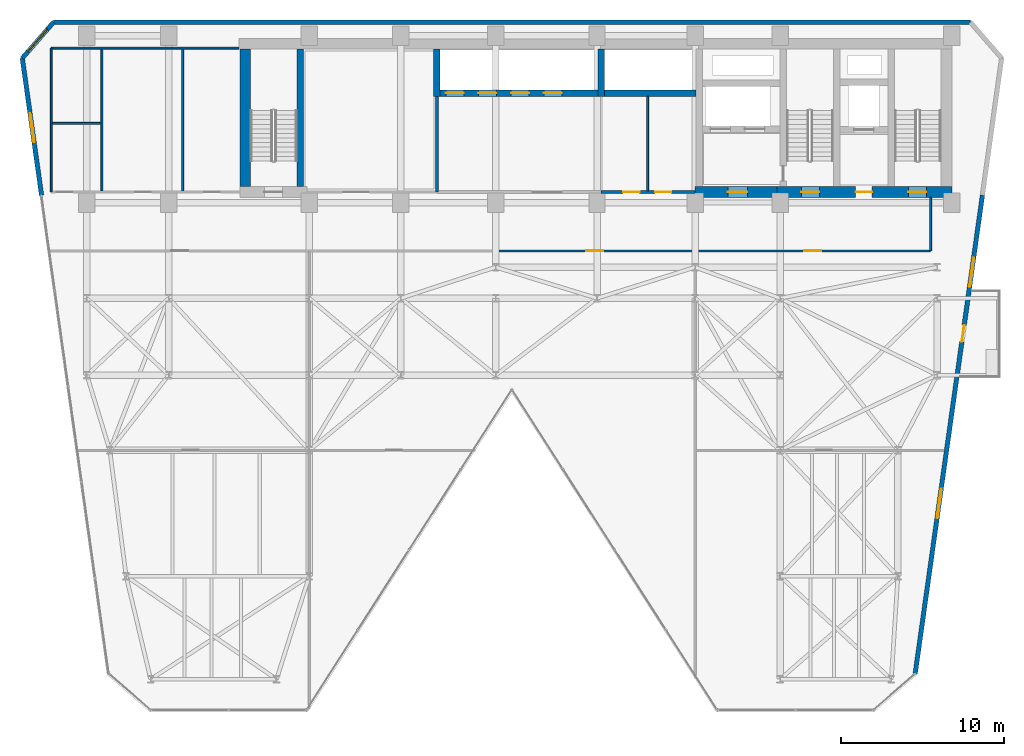
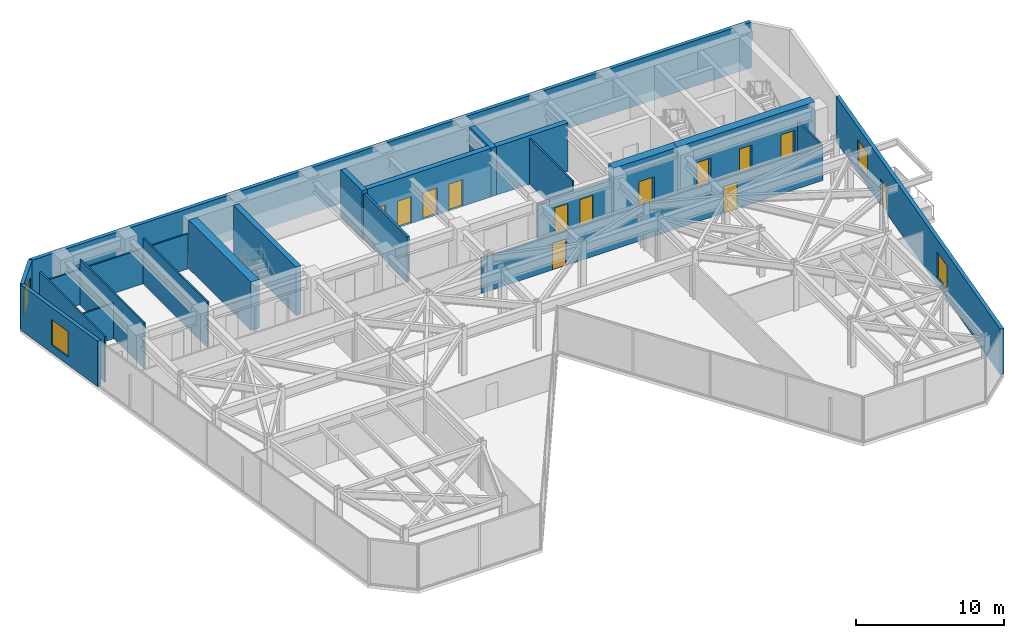
# One storey, part 22 of 26: 22 walls, 13 doors, 4 windows, 17 openings.
"""IFC4 building model written with IfcOpenShell, lengths in metres."""

from ifc_helpers import new_model, si_unit, direction, frame, frame_2d, origin, place, context, subcontext, project, spatial, rectangle, extrude, material, layer, layer_set, type_object, element, fill, save


model = new_model("IFC4")

# Units and contexts
model_context = context("Model", 3, precision=1e-05, world=origin(), true_north=direction((0.0, 1.0)))
body_context = subcontext(model_context, "Body", "Model", "MODEL_VIEW")
ifc_project = project(units=[si_unit("LENGTHUNIT", "METRE"), si_unit("AREAUNIT", "SQUARE_METRE"), si_unit("VOLUMEUNIT", "CUBIC_METRE"), si_unit("PLANEANGLEUNIT", "RADIAN"), si_unit("MASSUNIT", "GRAM", prefix="KILO")], contexts=[model_context])

# Site, building, storey
site_placement = place(None, origin())
site = spatial("IfcSite", under=ifc_project, at=site_placement, CompositionType="ELEMENT")
building_placement = place(site_placement, origin())
building = spatial("IfcBuilding", under=site, at=building_placement, Name="Kravanh Interchange Tower", CompositionType="ELEMENT")
storey_placement = place(building_placement, frame((0.0, 0.0, 144.0)))
storey = spatial("IfcBuildingStorey", under=building, at=storey_placement, Name="L34", CompositionType="ELEMENT", Elevation=144.0)

# Walls
ifc_material_1 = material(Name="Double Acoustic Gypsum Board and Mineral Wool")
ifc_layer_1 = layer(ifc_material_1, 0.1201171875)
ifc_layer_set_1 = layer_set([ifc_layer_1], Name="Acoustic Office Drywall Partition 120mm")
wall_type_1 = type_object("IfcWallType", Name="Acoustic Office Drywall Partition 120mm", PredefinedType="PARTITIONING", material=ifc_layer_set_1)
wall_1_placement = place(storey_placement, frame((47.89990234375, 38.068115234375, 0.0), z_axis=(0.0, 0.0, 1.0), x_axis=(0.0, 1.0, 0.0)))
element("IfcWall", 1, at=wall_1_placement, inside=storey, type_object=wall_type_1, Name="L34 Interior Partition 2", PredefinedType="PARTITIONING", context=body_context, shape_type="SweptSolid", body=[
    extrude(rectangle(XDim=5.77392578125, YDim=0.1201171875, at=frame_2d((2.886962890625, 0.0))), origin(), (0.0, 0.0, 1.0), 3.75),
])
wall_2_placement = place(storey_placement, frame((11.419921875, 38.0, 0.0), z_axis=(0.0, 0.0, 1.0), x_axis=(0.0, 1.0, 0.0)))
element("IfcWall", 2, at=wall_2_placement, inside=storey, type_object=wall_type_1, Name="L34 Restroom West Enclosure 7", PredefinedType="PARTITIONING", context=body_context, shape_type="SweptSolid", body=[
    extrude(rectangle(XDim=8.800048828125, YDim=0.1201171875, at=frame_2d((4.39990234375, 0.0))), origin(), (0.0, 0.0, 1.0), 3.75),
])
wall_3_placement = place(storey_placement, frame((11.419921875, 46.800048828125, 0.0), z_axis=(0.0, 0.0, 1.0), x_axis=(1.0, 0.0, 0.0)))
element("IfcWall", 3, at=wall_3_placement, inside=storey, type_object=wall_type_1, Name="L34 Restroom North Enclosure 8", PredefinedType="PARTITIONING", context=body_context, shape_type="SweptSolid", body=[
    extrude(rectangle(XDim=11.47998046875, YDim=0.1201171875, at=frame_2d((5.739990234375, 0.0))), origin(), (0.0, 0.0, 1.0), 2.89404296875),
])
for number, where, z_axis, x_axis, name in (
    (4, (14.52001953125, 38.068115234375, 0.0), (0.0, 0.0, 1.0), (0.0, 1.0, 0.0), "L34 Interior Partition 9"),
    (5, (19.449951171875, 38.068115234375, 0.0), (0.0, 0.0, 1.0), (0.0, 1.0, 0.0), "L34 Interior Partition 10"),
):
    element("IfcWall", number, at=place(storey_placement, frame(where, z_axis=z_axis, x_axis=x_axis)), inside=storey, type_object=wall_type_1, Name=name, PredefinedType="PARTITIONING", context=body_context, shape_type="SweptSolid", body=[
        extrude(rectangle(XDim=8.663818359375, YDim=0.1201171875, at=frame_2d((4.33203125, 0.0))), origin(), (0.0, 0.0, 1.0), 3.75),
    ])
wall_4_placement = place(storey_placement, frame((11.488037109375, 42.199951171875, 0.0), z_axis=(0.0, 0.0, 1.0), x_axis=(1.0, 0.0, 0.0)))
element("IfcWall", 6, at=wall_4_placement, inside=storey, type_object=wall_type_1, Name="L34 Interior Partition 11", PredefinedType="PARTITIONING", context=body_context, shape_type="SweptSolid", body=[
    extrude(rectangle(XDim=2.9638671875, YDim=0.1201171875, at=frame_2d((1.48193359375, 0.0))), origin(), (0.0, 0.0, 1.0), 2.89404296875),
])

# Wall, openings, doors
wall_5_placement = place(storey_placement, frame((38.60009765625, 34.39990234375, 0.0), z_axis=(0.0, 0.0, 1.0), x_axis=(1.0, 0.0, 0.0)))
wall_5 = element("IfcWall", 7, at=wall_5_placement, inside=storey, type_object=wall_type_1, Name="L34 Interior Partition 13", PredefinedType="PARTITIONING", context=body_context, shape_type="SweptSolid", body=[
    extrude(rectangle(XDim=26.599853515625, YDim=0.1201171875, at=frame_2d((13.2998046875, 0.0))), origin(), (0.0, 0.0, 1.0), 2.89404296875),
])
opening_1_placement = place(wall_5_placement, frame((5.530029296875, 0.0, 0.0)))
opening_1 = element("IfcOpeningElement", 8, at=opening_1_placement, cuts=wall_5, Name="Opening D-105", PredefinedType="OPENING", context=body_context, shape_type="SweptSolid", body=[
    extrude(rectangle(XDim=1.050048828125, YDim=2.199951171875, at=frame_2d((0.52490234375, 1.10009765625))), frame((0.0, 0.070068359375, 0.0), z_axis=(0.0, -1.0, 0.0), x_axis=(1.0, 0.0, 0.0)), (0.0, 0.0, 1.0), 0.14013671875),
])
opening_2_placement = place(wall_5_placement, frame((18.875, 0.0, 0.0)))
opening_2 = element("IfcOpeningElement", 9, at=opening_2_placement, cuts=wall_5, Name="Opening D-105", PredefinedType="OPENING", context=body_context, shape_type="SweptSolid", body=[
    extrude(rectangle(XDim=1.050048828125, YDim=2.199951171875, at=frame_2d((0.52490234375, 1.10009765625))), frame((0.0, 0.070068359375, 0.0), z_axis=(0.0, -1.0, 0.0), x_axis=(1.0, 0.0, 0.0)), (0.0, 0.0, 1.0), 0.14013671875),
])
ifc_material_2 = material(Name="Acoustic Glazed Oak and Aluminium", Category="aluminium")
door_type_1 = type_object("IfcDoorType", Name="Office Workplace Door 1050x2200", OperationType="NOTDEFINED", PredefinedType="DOOR", material=ifc_material_2)
door_1_placement = place(opening_1_placement, origin())
door_1 = element("IfcDoor", 10, at=door_1_placement, inside=storey, type_object=door_type_1, Name="L34 Central Deeds Vault Store 6B Door", OperationType="SINGLE_SWING_LEFT", OverallHeight=2.199951171875, OverallWidth=1.050048828125, PredefinedType="DOOR", context=body_context, shape_type="SweptSolid", body=[
    extrude(rectangle(XDim=1.050048828125, YDim=2.199951171875, at=frame_2d((0.52490234375, 1.10009765625))), frame((0.0, 0.02490234375, 0.0), z_axis=(0.0, -1.0, 0.0), x_axis=(1.0, 0.0, 0.0)), (0.0, 0.0, 1.0), 0.050048828125),
])
fill(opening_1, door_1)
door_2_placement = place(opening_2_placement, origin())
door_2 = element("IfcDoor", 11, at=door_2_placement, inside=storey, type_object=door_type_1, Name="L34 East Balcony Partner Office 6C Door", OperationType="SINGLE_SWING_LEFT", OverallHeight=2.199951171875, OverallWidth=1.050048828125, PredefinedType="DOOR", context=body_context, shape_type="SweptSolid", body=[
    extrude(rectangle(XDim=1.050048828125, YDim=2.199951171875, at=frame_2d((0.52490234375, 1.10009765625))), frame((0.0, 0.02490234375, 0.0), z_axis=(0.0, -1.0, 0.0), x_axis=(1.0, 0.0, 0.0)), (0.0, 0.0, 1.0), 0.050048828125),
])
fill(opening_2, door_2)

# Wall
wall_6_placement = place(storey_placement, frame((65.199951171875, 34.39990234375, 0.0), z_axis=(0.0, 0.0, 1.0), x_axis=(0.0, 1.0, 0.0)))
element("IfcWall", 12, at=wall_6_placement, inside=storey, type_object=wall_type_1, Name="L34 Interior Partition 14", PredefinedType="PARTITIONING", context=body_context, shape_type="SweptSolid", body=[
    extrude(rectangle(XDim=3.26708984375, YDim=0.1201171875, at=frame_2d((1.633544921875, 0.0))), origin(), (0.0, 0.0, 1.0), 2.89404296875),
])

# Wall, openings, doors
ifc_material_3 = material(Name="Concrete C70/85", Category="concrete")
ifc_layer_2 = layer(ifc_material_3, 0.64990234375)
ifc_layer_set_2 = layer_set([ifc_layer_2], Name="Core Shear Wall Concrete C70/85 650mm")
wall_type_2 = type_object("IfcWallType", Name="Core Shear Wall Concrete C70/85 650mm", PredefinedType="SHEAR", material=ifc_layer_set_2)
wall_7_placement = place(storey_placement, frame((55.800048828125, 38.0, 0.0), z_axis=(0.0, 0.0, 1.0), x_axis=(1.0, 0.0, 0.0)))
wall_7 = element("IfcWall", 13, at=wall_7_placement, inside=storey, type_object=wall_type_2, Name="L34 East Core South Shear Wall", PredefinedType="SHEAR", context=body_context, shape_type="SweptSolid", body=[
    extrude(rectangle(XDim=10.699951171875, YDim=0.64990234375, at=frame_2d((5.35009765625, 0.0))), origin(), (0.0, 0.0, 1.0), 4.0),
])
opening_3_placement = place(wall_7_placement, frame((1.5, 0.0, 0.0)))
opening_3 = element("IfcOpeningElement", 14, at=opening_3_placement, cuts=wall_7, Name="Opening D-STAIR-110", PredefinedType="OPENING", context=body_context, shape_type="SweptSolid", body=[
    extrude(rectangle(XDim=1.10009765625, YDim=2.199951171875, at=frame_2d((0.550048828125, 1.10009765625))), frame((0.0, 0.3349609375, 0.0), z_axis=(0.0, -1.0, 0.0), x_axis=(1.0, 0.0, 0.0)), (0.0, 0.0, 1.0), 0.669921875),
])
opening_4_placement = place(wall_7_placement, frame((4.820068359375, 0.0, 0.0)))
opening_4 = element("IfcOpeningElement", 15, at=opening_4_placement, cuts=wall_7, Name="Opening D-HOTEL-100", PredefinedType="OPENING", context=body_context, shape_type="SweptSolid", body=[
    extrude(rectangle(XDim=1.0, YDim=2.14990234375, at=frame_2d((0.5, 1.074951171875))), frame((0.0, 0.3349609375, 0.0), z_axis=(0.0, -1.0, 0.0), x_axis=(1.0, 0.0, 0.0)), (0.0, 0.0, 1.0), 0.669921875),
])
opening_5_placement = place(wall_7_placement, frame((8.050048828125, 0.0, 0.0)))
opening_5 = element("IfcOpeningElement", 16, at=opening_5_placement, cuts=wall_7, Name="Opening D-STAIR-110", PredefinedType="OPENING", context=body_context, shape_type="SweptSolid", body=[
    extrude(rectangle(XDim=1.10009765625, YDim=2.199951171875, at=frame_2d((0.550048828125, 1.10009765625))), frame((0.0, 0.3349609375, 0.0), z_axis=(0.0, -1.0, 0.0), x_axis=(1.0, 0.0, 0.0)), (0.0, 0.0, 1.0), 0.669921875),
])
ifc_material_4 = material(Name="Structural Steel S355", Category="steel")
door_type_2 = type_object("IfcDoorType", Name="Fire-Rated Exit Stair Door 1100x2200", OperationType="NOTDEFINED", PredefinedType="DOOR", material=ifc_material_4)
door_3_placement = place(opening_3_placement, origin())
door_3 = element("IfcDoor", 17, at=door_3_placement, inside=storey, type_object=door_type_2, Name="L34 Exit Stair ST2 Door", OperationType="SINGLE_SWING_RIGHT", OverallHeight=2.199951171875, OverallWidth=1.10009765625, PredefinedType="DOOR", context=body_context, shape_type="SweptSolid", body=[
    extrude(rectangle(XDim=1.10009765625, YDim=2.199951171875, at=frame_2d((0.550048828125, 1.10009765625))), frame((0.0, 0.02490234375, 0.0), z_axis=(0.0, -1.0, 0.0), x_axis=(1.0, 0.0, 0.0)), (0.0, 0.0, 1.0), 0.050048828125),
])
fill(opening_3, door_3)
door_4_placement = place(opening_5_placement, origin())
door_4 = element("IfcDoor", 18, at=door_4_placement, inside=storey, type_object=door_type_2, Name="L34 Exit Stair ST1 Door", OperationType="SINGLE_SWING_RIGHT", OverallHeight=2.199951171875, OverallWidth=1.10009765625, PredefinedType="DOOR", context=body_context, shape_type="SweptSolid", body=[
    extrude(rectangle(XDim=1.10009765625, YDim=2.199951171875, at=frame_2d((0.550048828125, 1.10009765625))), frame((0.0, 0.02490234375, 0.0), z_axis=(0.0, -1.0, 0.0), x_axis=(1.0, 0.0, 0.0)), (0.0, 0.0, 1.0), 0.050048828125),
])
fill(opening_5, door_4)
ifc_material_5 = material(Name="Fire-Rated Solid Timber Leaf", Category="wood")
door_type_3 = type_object("IfcDoorType", Name="Fire-Rated Suite Entrance Door 1000x2150", OperationType="NOTDEFINED", PredefinedType="DOOR", material=ifc_material_5)
door_5_placement = place(opening_4_placement, origin())
door_5 = element("IfcDoor", 19, at=door_5_placement, inside=storey, type_object=door_type_3, Name="L34 Service Lift Lobby Door", OperationType="SINGLE_SWING_RIGHT", OverallHeight=2.14990234375, OverallWidth=1.0, PredefinedType="DOOR", context=body_context, shape_type="SweptSolid", body=[
    extrude(rectangle(XDim=1.0, YDim=2.14990234375, at=frame_2d((0.5, 1.074951171875))), frame((0.0, 0.02490234375, 0.0), z_axis=(0.0, -1.0, 0.0), x_axis=(1.0, 0.0, 0.0)), (0.0, 0.0, 1.0), 0.050048828125),
])
fill(opening_4, door_5)

# Wall, opening, door
wall_8_placement = place(storey_placement, frame((50.800048828125, 38.0, 0.0), z_axis=(0.0, 0.0, 1.0), x_axis=(1.0, 0.0, 0.0)))
wall_8 = element("IfcWall", 20, at=wall_8_placement, inside=storey, type_object=wall_type_2, Name="L34 Firefighting Lobby South Shear Wall", PredefinedType="SHEAR", context=body_context, shape_type="SweptSolid", body=[
    extrude(rectangle(XDim=5.0, YDim=0.64990234375, at=frame_2d((2.5, 0.0))), origin(), (0.0, 0.0, 1.0), 4.0),
])
opening_6_placement = place(wall_8_placement, frame((2.0, 0.0, 0.0)))
opening_6 = element("IfcOpeningElement", 21, at=opening_6_placement, cuts=wall_8, Name="Opening D-FSAE-120", PredefinedType="OPENING", context=body_context, shape_type="SweptSolid", body=[
    extrude(rectangle(XDim=1.199951171875, YDim=2.199951171875, at=frame_2d((0.60009765625, 1.10009765625))), frame((0.0, 0.3349609375, 0.0), z_axis=(0.0, -1.0, 0.0), x_axis=(1.0, 0.0, 0.0)), (0.0, 0.0, 1.0), 0.669921875),
])
ifc_material_6 = material(Name="Structural Steel S355", Category="steel")
door_type_4 = type_object("IfcDoorType", Name="Fire-Rated Refuge and FSAE Door 1200x2200", OperationType="NOTDEFINED", PredefinedType="DOOR", material=ifc_material_6)
door_6_placement = place(opening_6_placement, origin())
door_6 = element("IfcDoor", 22, at=door_6_placement, inside=storey, type_object=door_type_4, Name="L34 Firefighting Lobby Corridor Door", OperationType="SINGLE_SWING_RIGHT", OverallHeight=2.199951171875, OverallWidth=1.199951171875, PredefinedType="DOOR", context=body_context, shape_type="SweptSolid", body=[
    extrude(rectangle(XDim=1.199951171875, YDim=2.199951171875, at=frame_2d((0.60009765625, 1.10009765625))), frame((0.0, 0.02490234375, 0.0), z_axis=(0.0, -1.0, 0.0), x_axis=(1.0, 0.0, 0.0)), (0.0, 0.0, 1.0), 0.050048828125),
])
fill(opening_6, door_6)

# Walls
wall_9_placement = place(storey_placement, frame((23.27490234375, 38.324951171875, 0.0), z_axis=(0.0, 0.0, 1.0), x_axis=(0.0, 1.0, 0.0)))
element("IfcWall", 23, at=wall_9_placement, inside=storey, type_object=wall_type_2, Name="L34 Stair ST3 West Shear Wall", PredefinedType="SHEAR", context=body_context, shape_type="SweptSolid", body=[
    extrude(rectangle(XDim=8.425048828125, YDim=0.64990234375, at=frame_2d((4.21240234375, 0.0))), origin(), (0.0, 0.0, 1.0), 4.0),
])
ifc_material_7 = material(Name="Concrete C80/95", Category="concrete")
ifc_layer_3 = layer(ifc_material_7, 0.39990234375)
ifc_layer_set_3 = layer_set([ifc_layer_3], Name="Core Shear Wall Concrete C80/95 400mm")
wall_type_3 = type_object("IfcWallType", Name="Core Shear Wall Concrete C80/95 400mm", PredefinedType="SHEAR", material=ifc_layer_set_3)
wall_10_placement = place(storey_placement, frame((45.25, 44.050048828125, 0.0), z_axis=(0.0, 0.0, 1.0), x_axis=(1.0, 0.0, 0.0)))
element("IfcWall", 24, at=wall_10_placement, inside=storey, type_object=wall_type_3, Name="L34 High-Rise Lift Shaft South Wall", PredefinedType="SHEAR", context=body_context, shape_type="SweptSolid", body=[
    extrude(rectangle(XDim=5.60009765625, YDim=0.39990234375, at=frame_2d((2.800048828125, 0.0))), origin(), (0.0, 0.0, 1.0), 4.0),
])
wall_11_placement = place(storey_placement, frame((45.050048828125, 43.85009765625, 0.0), z_axis=(0.0, 0.0, 1.0), x_axis=(0.0, 1.0, 0.0)))
element("IfcWall", 25, at=wall_11_placement, inside=storey, type_object=wall_type_3, Name="L34 High-Rise Lift Shaft West Wall", PredefinedType="SHEAR", context=body_context, shape_type="SweptSolid", body=[
    extrude(rectangle(XDim=2.89990234375, YDim=0.39990234375, at=frame_2d((1.449951171875, 0.0))), origin(), (0.0, 0.0, 1.0), 4.0),
])

# Wall, openings, doors
wall_12_placement = place(storey_placement, frame((35.199951171875, 44.050048828125, 0.0), z_axis=(0.0, 0.0, 1.0), x_axis=(1.0, 0.0, 0.0)))
wall_12 = element("IfcWall", 26, at=wall_12_placement, inside=storey, type_object=wall_type_3, Name="L34 Mid-Rise Lift Shaft South Wall", PredefinedType="SHEAR", context=body_context, shape_type="SweptSolid", body=[
    extrude(rectangle(XDim=9.650146484375, YDim=0.39990234375, at=frame_2d((4.8251953125, 0.0))), origin(), (0.0, 0.0, 1.0), 4.0),
])
opening_7_placement = place(wall_12_placement, frame((0.35009765625, 0.0, 0.0)))
opening_7 = element("IfcOpeningElement", 27, at=opening_7_placement, cuts=wall_12, Name="Opening LD01", PredefinedType="OPENING", context=body_context, shape_type="SweptSolid", body=[
    extrude(rectangle(XDim=1.10009765625, YDim=2.199951171875, at=frame_2d((0.550048828125, 1.10009765625))), frame((0.0, 0.2099609375, 0.0), z_axis=(0.0, -1.0, 0.0), x_axis=(1.0, 0.0, 0.0)), (0.0, 0.0, 1.0), 0.419921875),
])
opening_8_placement = place(wall_12_placement, frame((2.35009765625, 0.0, 0.0)))
opening_8 = element("IfcOpeningElement", 28, at=opening_8_placement, cuts=wall_12, Name="Opening LD01", PredefinedType="OPENING", context=body_context, shape_type="SweptSolid", body=[
    extrude(rectangle(XDim=1.10009765625, YDim=2.199951171875, at=frame_2d((0.550048828125, 1.10009765625))), frame((0.0, 0.2099609375, 0.0), z_axis=(0.0, -1.0, 0.0), x_axis=(1.0, 0.0, 0.0)), (0.0, 0.0, 1.0), 0.419921875),
])
opening_9_placement = place(wall_12_placement, frame((4.35009765625, 0.0, 0.0)))
opening_9 = element("IfcOpeningElement", 29, at=opening_9_placement, cuts=wall_12, Name="Opening LD01", PredefinedType="OPENING", context=body_context, shape_type="SweptSolid", body=[
    extrude(rectangle(XDim=1.10009765625, YDim=2.199951171875, at=frame_2d((0.550048828125, 1.10009765625))), frame((0.0, 0.2099609375, 0.0), z_axis=(0.0, -1.0, 0.0), x_axis=(1.0, 0.0, 0.0)), (0.0, 0.0, 1.0), 0.419921875),
])
opening_10_placement = place(wall_12_placement, frame((6.35009765625, 0.0, 0.0)))
opening_10 = element("IfcOpeningElement", 30, at=opening_10_placement, cuts=wall_12, Name="Opening LD01", PredefinedType="OPENING", context=body_context, shape_type="SweptSolid", body=[
    extrude(rectangle(XDim=1.10009765625, YDim=2.199951171875, at=frame_2d((0.550048828125, 1.10009765625))), frame((0.0, 0.2099609375, 0.0), z_axis=(0.0, -1.0, 0.0), x_axis=(1.0, 0.0, 0.0)), (0.0, 0.0, 1.0), 0.419921875),
])
ifc_material_8 = material(Name="Stainless Steel 304", Category="steel")
door_type_5 = type_object("IfcDoorType", Name="Passenger Lift Sliding Landing Door 1100x2200", OperationType="DOUBLE_DOOR_SLIDING", PredefinedType="DOOR", material=ifc_material_8)
door_7_placement = place(opening_7_placement, origin())
door_7 = element("IfcDoor", 31, at=door_7_placement, inside=storey, type_object=door_type_5, Name="L34 Lift LP-M1 Landing Door", OperationType="DOUBLE_DOOR_SLIDING", OverallHeight=2.199951171875, OverallWidth=1.10009765625, PredefinedType="DOOR", context=body_context, shape_type="SweptSolid", body=[
    extrude(rectangle(XDim=1.10009765625, YDim=2.199951171875, at=frame_2d((0.550048828125, 1.10009765625))), frame((0.0, 0.02490234375, 0.0), z_axis=(0.0, -1.0, 0.0), x_axis=(1.0, 0.0, 0.0)), (0.0, 0.0, 1.0), 0.050048828125),
])
fill(opening_7, door_7)
door_8_placement = place(opening_8_placement, origin())
door_8 = element("IfcDoor", 32, at=door_8_placement, inside=storey, type_object=door_type_5, Name="L34 Lift LP-M2 Landing Door", OperationType="DOUBLE_DOOR_SLIDING", OverallHeight=2.199951171875, OverallWidth=1.10009765625, PredefinedType="DOOR", context=body_context, shape_type="SweptSolid", body=[
    extrude(rectangle(XDim=1.10009765625, YDim=2.199951171875, at=frame_2d((0.550048828125, 1.10009765625))), frame((0.0, 0.02490234375, 0.0), z_axis=(0.0, -1.0, 0.0), x_axis=(1.0, 0.0, 0.0)), (0.0, 0.0, 1.0), 0.050048828125),
])
fill(opening_8, door_8)
door_9_placement = place(opening_9_placement, origin())
door_9 = element("IfcDoor", 33, at=door_9_placement, inside=storey, type_object=door_type_5, Name="L34 Lift LP-M3 Landing Door", OperationType="DOUBLE_DOOR_SLIDING", OverallHeight=2.199951171875, OverallWidth=1.10009765625, PredefinedType="DOOR", context=body_context, shape_type="SweptSolid", body=[
    extrude(rectangle(XDim=1.10009765625, YDim=2.199951171875, at=frame_2d((0.550048828125, 1.10009765625))), frame((0.0, 0.02490234375, 0.0), z_axis=(0.0, -1.0, 0.0), x_axis=(1.0, 0.0, 0.0)), (0.0, 0.0, 1.0), 0.050048828125),
])
fill(opening_9, door_9)
door_10_placement = place(opening_10_placement, origin())
door_10 = element("IfcDoor", 34, at=door_10_placement, inside=storey, type_object=door_type_5, Name="L34 Lift LP-M4 Landing Door", OperationType="DOUBLE_DOOR_SLIDING", OverallHeight=2.199951171875, OverallWidth=1.10009765625, PredefinedType="DOOR", context=body_context, shape_type="SweptSolid", body=[
    extrude(rectangle(XDim=1.10009765625, YDim=2.199951171875, at=frame_2d((0.550048828125, 1.10009765625))), frame((0.0, 0.02490234375, 0.0), z_axis=(0.0, -1.0, 0.0), x_axis=(1.0, 0.0, 0.0)), (0.0, 0.0, 1.0), 0.050048828125),
])
fill(opening_10, door_10)

# Walls
wall_13_placement = place(storey_placement, frame((35.0, 43.85009765625, 0.0), z_axis=(0.0, 0.0, 1.0), x_axis=(0.0, 1.0, 0.0)))
element("IfcWall", 35, at=wall_13_placement, inside=storey, type_object=wall_type_3, Name="L34 Mid-Rise Lift Shaft West Wall", PredefinedType="SHEAR", context=body_context, shape_type="SweptSolid", body=[
    extrude(rectangle(XDim=2.89990234375, YDim=0.39990234375, at=frame_2d((1.449951171875, 0.0))), origin(), (0.0, 0.0, 1.0), 4.0),
])
wall_14_placement = place(storey_placement, frame((26.64990234375, 38.324951171875, 0.0), z_axis=(0.0, 0.0, 1.0), x_axis=(0.0, 1.0, 0.0)))
element("IfcWall", 36, at=wall_14_placement, inside=storey, type_object=wall_type_3, Name="L34 Stair ST3 East Shear Wall", PredefinedType="SHEAR", context=body_context, shape_type="SweptSolid", body=[
    extrude(rectangle(XDim=8.425048828125, YDim=0.39990234375, at=frame_2d((4.21240234375, 0.0))), origin(), (0.0, 0.0, 1.0), 4.0),
])

# Wall, opening, window
ifc_material_9 = material(Name="Insulated Precast Concrete C40/50 with Bronze Cladding", Category="concrete")
ifc_layer_4 = layer(ifc_material_9, 0.280029296875)
ifc_layer_set_4 = layer_set([ifc_layer_4], Name="Exterior Insulated Concrete C40/50 Bronze Spandrel Wall 280mm")
wall_type_4 = type_object("IfcWallType", Name="Exterior Insulated Concrete C40/50 Bronze Spandrel Wall 280mm", PredefinedType="STANDARD", material=ifc_layer_set_4)
wall_15_placement = place(storey_placement, frame((10.824951171875, 37.800048828125, 0.0), z_axis=(0.0, 0.0, 1.0), x_axis=(-0.139180610108, 0.990267013371, 0.0)))
wall_15 = element("IfcWall", 37, at=wall_15_placement, inside=storey, type_object=wall_type_4, Name="L34 Exterior Wall 1", PredefinedType="STANDARD", context=body_context, shape_type="SweptSolid", body=[
    extrude(rectangle(XDim=8.46728515625, YDim=0.280029296875, at=frame_2d((4.233642578125, 0.0))), origin(), (0.0, 0.0, 1.0), 3.75),
])
opening_11_placement = place(wall_15_placement, frame((3.273193359375, 0.0, 0.64990234375)))
opening_11 = element("IfcOpeningElement", 38, at=opening_11_placement, cuts=wall_15, Name="Opening WN-180X210", PredefinedType="OPENING", context=body_context, shape_type="SweptSolid", body=[
    extrude(rectangle(XDim=1.800048828125, YDim=2.10009765625, at=frame_2d((0.89990234375, 1.050048828125))), frame((0.0, 0.14990234375, 0.0), z_axis=(0.0, -1.0, 0.0), x_axis=(1.0, 0.0, 0.0)), (0.0, 0.0, 1.0), 0.300048828125),
])
ifc_material_10 = material(Name="Thermally Broken Bronze Aluminium and Low-E Glass", Category="aluminium")
window_type = type_object("IfcWindowType", Name="Tower Pier Window 1800x2100", PartitioningType="SINGLE_PANEL", PredefinedType="WINDOW", material=ifc_material_10)
window_1_placement = place(opening_11_placement, origin())
window_1 = element("IfcWindow", 39, at=window_1_placement, inside=storey, type_object=window_type, Name="L34 Corner Window 1", OverallHeight=2.10009765625, OverallWidth=1.800048828125, PartitioningType="SINGLE_PANEL", PredefinedType="WINDOW", context=body_context, shape_type="SweptSolid", body=[
    extrude(rectangle(XDim=1.800048828125, YDim=2.10009765625, at=frame_2d((0.89990234375, 1.050048828125))), frame((0.0, 0.030029296875, 0.0), z_axis=(0.0, -1.0, 0.0), x_axis=(1.0, 0.0, 0.0)), (0.0, 0.0, 1.0), 0.06005859375),
])
fill(opening_11, window_1)

wall_16_placement = place(storey_placement, frame((9.646484375, 46.184814453125, 0.0), z_axis=(0.0, 0.0, 1.0), x_axis=(0.656070644076, 0.754699483226, 0.0)))
wall_16 = element("IfcWall", 40, at=wall_16_placement, inside=storey, type_object=wall_type_4, Name="L34 Exterior Wall 2", PredefinedType="STANDARD", context=body_context, shape_type="SweptSolid", body=[
    extrude(rectangle(XDim=2.908447265625, YDim=0.280029296875, at=frame_2d((1.4541015625, 0.0))), origin(), (0.0, 0.0, 1.0), 3.75),
])
opening_12_placement = place(wall_16_placement, frame((0.541015625, 0.0, 0.64990234375)))
opening_12 = element("IfcOpeningElement", 41, at=opening_12_placement, cuts=wall_16, Name="Opening WN-180X210", PredefinedType="OPENING", context=body_context, shape_type="SweptSolid", body=[
    extrude(rectangle(XDim=1.800048828125, YDim=2.10009765625, at=frame_2d((0.89990234375, 1.050048828125))), frame((0.0, 0.14990234375, 0.0), z_axis=(0.0, -1.0, 0.0), x_axis=(1.0, 0.0, 0.0)), (0.0, 0.0, 1.0), 0.300048828125),
])
window_2_placement = place(opening_12_placement, origin())
window_2 = element("IfcWindow", 42, at=window_2_placement, inside=storey, type_object=window_type, Name="L34 Corner Window 2", OverallHeight=2.10009765625, OverallWidth=1.800048828125, PartitioningType="SINGLE_PANEL", PredefinedType="WINDOW", context=body_context, shape_type="SweptSolid", body=[
    extrude(rectangle(XDim=1.800048828125, YDim=2.10009765625, at=frame_2d((0.89990234375, 1.050048828125))), frame((0.0, 0.030029296875, 0.0), z_axis=(0.0, -1.0, 0.0), x_axis=(1.0, 0.0, 0.0)), (0.0, 0.0, 1.0), 0.06005859375),
])
fill(opening_12, window_2)

# Wall
wall_17_placement = place(storey_placement, frame((11.5546875, 48.3798828125, 0.0), z_axis=(0.0, 0.0, 1.0), x_axis=(1.0, 0.0, 0.0)))
element("IfcWall", 43, at=wall_17_placement, inside=storey, type_object=wall_type_4, Name="L34 Exterior Wall 3", PredefinedType="STANDARD", context=body_context, shape_type="SweptSolid", body=[
    extrude(rectangle(XDim=56.090576171875, YDim=0.280029296875, at=frame_2d((28.04541015625, 0.0))), origin(), (0.0, 0.0, 1.0), 3.75),
])

# Wall, openings, door, windows
wall_18_placement = place(storey_placement, frame((68.375, 37.800048828125, 0.0), z_axis=(0.0, 0.0, 1.0), x_axis=(-0.13917001236, -0.990268502811, 0.0)))
wall_18 = element("IfcWall", 44, at=wall_18_placement, inside=storey, type_object=wall_type_4, Name="L34 Exterior Wall 6", PredefinedType="STANDARD", context=body_context, shape_type="SweptSolid", body=[
    extrude(rectangle(XDim=29.548828125, YDim=0.280029296875, at=frame_2d((14.7744140625, 0.0))), origin(), (0.0, 0.0, 1.0), 3.75),
])
opening_13_placement = place(wall_18_placement, frame((8.036376953125, 0.0, 0.0)))
opening_13 = element("IfcOpeningElement", 45, at=opening_13_placement, cuts=wall_18, Name="Opening ED-BAL100", PredefinedType="OPENING", context=body_context, shape_type="SweptSolid", body=[
    extrude(rectangle(XDim=1.0, YDim=2.14990234375, at=frame_2d((0.5, 1.074951171875))), frame((0.0, 0.14990234375, 0.0), z_axis=(0.0, -1.0, 0.0), x_axis=(1.0, 0.0, 0.0)), (0.0, 0.0, 1.0), 0.300048828125),
])
opening_14_placement = place(wall_18_placement, frame((3.851318359375, 0.0, 0.64990234375)))
opening_14 = element("IfcOpeningElement", 46, at=opening_14_placement, cuts=wall_18, Name="Opening WN-180X210", PredefinedType="OPENING", context=body_context, shape_type="SweptSolid", body=[
    extrude(rectangle(XDim=1.800048828125, YDim=2.10009765625, at=frame_2d((0.89990234375, 1.050048828125))), frame((0.0, 0.14990234375, 0.0), z_axis=(0.0, -1.0, 0.0), x_axis=(1.0, 0.0, 0.0)), (0.0, 0.0, 1.0), 0.300048828125),
])
opening_15_placement = place(wall_18_placement, frame((18.1357421875, 0.0, 0.64990234375)))
opening_15 = element("IfcOpeningElement", 47, at=opening_15_placement, cuts=wall_18, Name="Opening WN-180X210", PredefinedType="OPENING", context=body_context, shape_type="SweptSolid", body=[
    extrude(rectangle(XDim=1.800048828125, YDim=2.10009765625, at=frame_2d((0.89990234375, 1.050048828125))), frame((0.0, 0.14990234375, 0.0), z_axis=(0.0, -1.0, 0.0), x_axis=(1.0, 0.0, 0.0)), (0.0, 0.0, 1.0), 0.300048828125),
])
ifc_material_11 = material(Name="Thermally Broken Bronze Aluminium and Laminated Glass", Category="aluminium")
door_type_6 = type_object("IfcDoorType", Name="Balcony Glazed Door 1000x2150", OperationType="NOTDEFINED", PredefinedType="DOOR", material=ifc_material_11)
door_11_placement = place(opening_13_placement, origin())
door_11 = element("IfcDoor", 48, at=door_11_placement, inside=storey, type_object=door_type_6, Name="L34 E Tree Balcony Access Door", OperationType="SINGLE_SWING_LEFT", OverallHeight=2.14990234375, OverallWidth=1.0, PredefinedType="DOOR", context=body_context, shape_type="SweptSolid", body=[
    extrude(rectangle(XDim=1.0, YDim=2.14990234375, at=frame_2d((0.5, 1.074951171875))), frame((0.0, 0.02490234375, 0.0), z_axis=(0.0, -1.0, 0.0), x_axis=(1.0, 0.0, 0.0)), (0.0, 0.0, 1.0), 0.050048828125),
])
fill(opening_13, door_11)
window_3_placement = place(opening_14_placement, origin())
window_3 = element("IfcWindow", 49, at=window_3_placement, inside=storey, type_object=window_type, Name="L34 Facade Window 6A", OverallHeight=2.10009765625, OverallWidth=1.800048828125, PartitioningType="SINGLE_PANEL", PredefinedType="WINDOW", context=body_context, shape_type="SweptSolid", body=[
    extrude(rectangle(XDim=1.800048828125, YDim=2.10009765625, at=frame_2d((0.89990234375, 1.050048828125))), frame((0.0, 0.030029296875, 0.0), z_axis=(0.0, -1.0, 0.0), x_axis=(1.0, 0.0, 0.0)), (0.0, 0.0, 1.0), 0.06005859375),
])
fill(opening_14, window_3)
window_4_placement = place(opening_15_placement, origin())
window_4 = element("IfcWindow", 50, at=window_4_placement, inside=storey, type_object=window_type, Name="L34 Facade Window 6B", OverallHeight=2.10009765625, OverallWidth=1.800048828125, PartitioningType="SINGLE_PANEL", PredefinedType="WINDOW", context=body_context, shape_type="SweptSolid", body=[
    extrude(rectangle(XDim=1.800048828125, YDim=2.10009765625, at=frame_2d((0.89990234375, 1.050048828125))), frame((0.0, 0.030029296875, 0.0), z_axis=(0.0, -1.0, 0.0), x_axis=(1.0, 0.0, 0.0)), (0.0, 0.0, 1.0), 0.06005859375),
])
fill(opening_15, window_4)

# Wall, openings, doors
ifc_material_12 = material(Name="Autoclaved Aerated Concrete C30/37 Blockwork", Category="masonry")
ifc_layer_5 = layer(ifc_material_12, 0.179931640625)
ifc_layer_set_5 = layer_set([ifc_layer_5], Name="Fire-Rated Lobby and Corridor Wall Concrete C30/37 180mm")
wall_type_5 = type_object("IfcWallType", Name="Fire-Rated Lobby and Corridor Wall Concrete C30/37 180mm", PredefinedType="STANDARD", material=ifc_layer_set_5)
wall_19_placement = place(storey_placement, frame((45.050048828125, 38.0, 0.0), z_axis=(0.0, 0.0, 1.0), x_axis=(1.0, 0.0, 0.0)))
wall_19 = element("IfcWall", 51, at=wall_19_placement, inside=storey, type_object=wall_type_5, Name="L34 Core South Enclosure 1", PredefinedType="STANDARD", context=body_context, shape_type="SweptSolid", body=[
    extrude(rectangle(XDim=5.75, YDim=0.179931640625, at=frame_2d((2.875, 0.0))), origin(), (0.0, 0.0, 1.0), 2.89404296875),
])
opening_16_placement = place(wall_19_placement, frame((1.35009765625, 0.0, 0.0)))
opening_16 = element("IfcOpeningElement", 52, at=opening_16_placement, cuts=wall_19, Name="Opening D-HOTEL-100", PredefinedType="OPENING", context=body_context, shape_type="SweptSolid", body=[
    extrude(rectangle(XDim=1.0, YDim=2.14990234375, at=frame_2d((0.5, 1.074951171875))), frame((0.0, 0.10009765625, 0.0), z_axis=(0.0, -1.0, 0.0), x_axis=(1.0, 0.0, 0.0)), (0.0, 0.0, 1.0), 0.199951171875),
])
opening_17_placement = place(wall_19_placement, frame((3.300048828125, 0.0, 0.0)))
opening_17 = element("IfcOpeningElement", 53, at=opening_17_placement, cuts=wall_19, Name="Opening D-HOTEL-100", PredefinedType="OPENING", context=body_context, shape_type="SweptSolid", body=[
    extrude(rectangle(XDim=1.0, YDim=2.14990234375, at=frame_2d((0.5, 1.074951171875))), frame((0.0, 0.10009765625, 0.0), z_axis=(0.0, -1.0, 0.0), x_axis=(1.0, 0.0, 0.0)), (0.0, 0.0, 1.0), 0.199951171875),
])
door_12_placement = place(opening_16_placement, origin())
door_12 = element("IfcDoor", 54, at=door_12_placement, inside=storey, type_object=door_type_3, Name="L34 Core Switchroom Door", OperationType="SINGLE_SWING_RIGHT", OverallHeight=2.14990234375, OverallWidth=1.0, PredefinedType="DOOR", context=body_context, shape_type="SweptSolid", body=[
    extrude(rectangle(XDim=1.0, YDim=2.14990234375, at=frame_2d((0.5, 1.074951171875))), frame((0.0, 0.02490234375, 0.0), z_axis=(0.0, -1.0, 0.0), x_axis=(1.0, 0.0, 0.0)), (0.0, 0.0, 1.0), 0.050048828125),
])
fill(opening_16, door_12)
door_13_placement = place(opening_17_placement, origin())
door_13 = element("IfcDoor", 55, at=door_13_placement, inside=storey, type_object=door_type_3, Name="L34 Core Archive Door", OperationType="SINGLE_SWING_LEFT", OverallHeight=2.14990234375, OverallWidth=1.0, PredefinedType="DOOR", context=body_context, shape_type="SweptSolid", body=[
    extrude(rectangle(XDim=1.0, YDim=2.14990234375, at=frame_2d((0.5, 1.074951171875))), frame((0.0, 0.02490234375, 0.0), z_axis=(0.0, -1.0, 0.0), x_axis=(1.0, 0.0, 0.0)), (0.0, 0.0, 1.0), 0.050048828125),
])
fill(opening_17, door_13)

# Wall
wall_20_placement = place(storey_placement, frame((35.0, 38.0, 0.0), z_axis=(0.0, 0.0, 1.0), x_axis=(0.0, 1.0, 0.0)))
element("IfcWall", 56, at=wall_20_placement, inside=storey, type_object=wall_type_5, Name="L34 Interior Partition 4", PredefinedType="STANDARD", context=body_context, shape_type="SweptSolid", body=[
    extrude(rectangle(XDim=5.85009765625, YDim=0.179931640625, at=frame_2d((2.925048828125, 0.0))), origin(), (0.0, 0.0, 1.0), 3.75),
])

save(model, "model.ifc")
